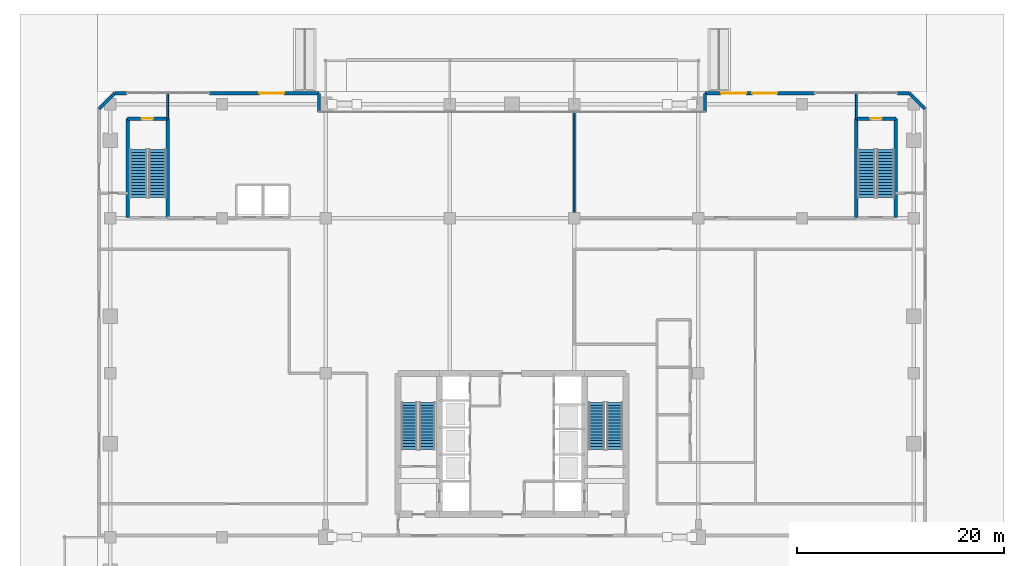
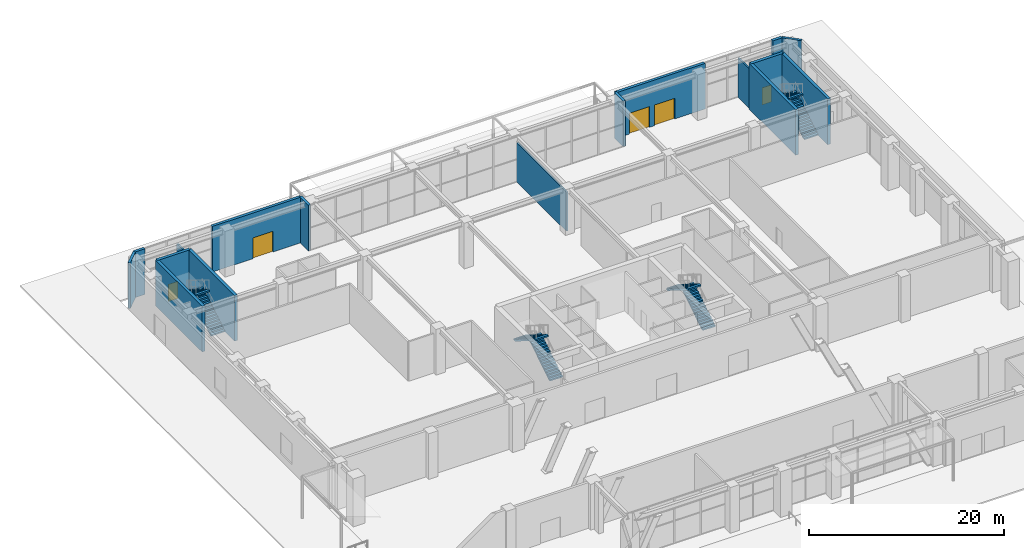
# One storey, part 40 of 49: 17 walls, 8 stair flights, 5 doors, 5 openings, 4 elements without a shape of their own.
"""IFC4 building model written with IfcOpenShell, lengths in metres."""

import ifcopenshell
import ifcopenshell.guid

model = None  # the IFC model being written
_history = None  # IfcOwnerHistory: only IFC2X3 demands one
_inside = {}  # id of a spatial element -> (the spatial element, [elements in it])
_under = {}  # id of a project, library or spatial element -> (it, [spatial elements below it])
_declared = {}  # id of a project -> (the project, [libraries it declares])
_typed = {}  # id of a type object -> (the type object, [elements of that type])
_made_of = {}  # id of a material, layer set ... -> (it, [elements and type objects made of it])


def new_model(schema):
    """Start an empty IFC model of exactly this schema.

    Asked for "IFC4X3", IfcOpenShell would pick the latest addendum, in which some entities
    have other attributes; the version numbers below select the first issue.
    IFC2X3 requires an IfcOwnerHistory on every rooted entity: one is made here for all.
    """
    global model, _history
    if schema == "IFC4X3":
        model = ifcopenshell.file(schema_version=(4, 3, 0, 0))
    else:
        model = ifcopenshell.file(schema=schema)
    _inside.clear()
    _under.clear()
    _declared.clear()
    _typed.clear()
    _made_of.clear()
    _history = None
    if model.schema == "IFC2X3":
        org = make("IfcOrganization", Name="unknown")
        user = make(
            "IfcPersonAndOrganization",
            ThePerson=make("IfcPerson", FamilyName="unknown"),
            TheOrganization=org,
        )
        app = make(
            "IfcApplication",
            ApplicationDeveloper=org,
            Version="unknown",
            ApplicationFullName="unknown",
            ApplicationIdentifier="unknown",
        )
        _history = make(
            "IfcOwnerHistory",
            OwningUser=user,
            OwningApplication=app,
            ChangeAction="ADDED",
            CreationDate=0,
        )
    return model


def make(cls, **values):
    """One entity of the class cls with the attributes given. An attribute that is None is left unset."""
    return model.create_entity(
        cls, **{name: value for name, value in values.items() if value is not None}
    )


def rooted(cls, **values):
    """An entity with a GlobalId (a new one), such as an element, a storey or a relation."""
    return make(cls, GlobalId=ifcopenshell.guid.new(), OwnerHistory=_history, **values)


def si_unit(unit_type, name, prefix=None):
    """IfcSIUnit, for example si_unit("LENGTHUNIT", "METRE", prefix="MILLI")."""
    return make("IfcSIUnit", UnitType=unit_type, Prefix=prefix, Name=name)


def assignment(units):
    """IfcUnitAssignment: the units of a project."""
    return None if units is None else make("IfcUnitAssignment", Units=units)


def point(xyz):
    """IfcCartesianPoint."""
    return None if xyz is None else make("IfcCartesianPoint", Coordinates=xyz)


def direction(xyz):
    """IfcDirection."""
    return None if xyz is None else make("IfcDirection", DirectionRatios=xyz)


def frame(location, z_axis=None, x_axis=None):
    """IfcAxis2Placement3D, a coordinate frame: its origin and axes. An axis left out is left unset."""
    return make(
        "IfcAxis2Placement3D",
        Location=point(location),
        Axis=direction(z_axis),
        RefDirection=direction(x_axis),
    )


def frame_2d(location, x_axis=None):
    """IfcAxis2Placement2D, a coordinate frame in the plane: its origin and x axis."""
    return make(
        "IfcAxis2Placement2D", Location=point(location), RefDirection=direction(x_axis)
    )


def origin():
    """The frame at (0, 0, 0) with its axes left unset."""
    return frame((0.0, 0.0, 0.0))


def place(relative_to, where):
    """IfcLocalPlacement: puts the frame where relative to a parent placement (None: the world)."""
    return make(
        "IfcLocalPlacement", PlacementRelTo=relative_to, RelativePlacement=where
    )


def context(
    kind, dimensions, precision=None, world=None, true_north=None, identifier=None
):
    """IfcGeometricRepresentationContext, for example the 3D "Model" context."""
    return make(
        "IfcGeometricRepresentationContext",
        ContextIdentifier=identifier,
        ContextType=kind,
        CoordinateSpaceDimension=dimensions,
        Precision=precision,
        WorldCoordinateSystem=world,
        TrueNorth=true_north,
    )


def subcontext(parent, identifier, kind, view, scale=None):
    """IfcGeometricRepresentationSubContext, for example "Body" below "Model"."""
    return make(
        "IfcGeometricRepresentationSubContext",
        ContextIdentifier=identifier,
        ContextType=kind,
        ParentContext=parent,
        TargetScale=scale,
        TargetView=view,
    )


def project(units=None, contexts=None):
    """IfcProject with its units and contexts."""
    return rooted(
        "IfcProject",
        Name="project",
        RepresentationContexts=contexts,
        UnitsInContext=assignment(units),
    )


def spatial(cls, under=None, at=None, **own):
    """A site, building, storey or space (cls), placed at a placement, below another one or the project."""
    s = rooted(cls, ObjectPlacement=at, **own)
    if under is not None:
        _under.setdefault(under.id(), (under, []))[1].append(s)
    return s


def polyline(points):
    """IfcPolyline through the points."""
    return make("IfcPolyline", Points=[point(p) for p in points])


def profile(cls, at=None, kind="AREA", **sizes):
    """A parametric profile (cls). Its sizes go by their IFC names, for example OverallWidth=200.0."""
    return make(cls, ProfileType=kind, Position=at, **sizes)


def rectangle(**sizes):
    """IfcRectangleProfileDef."""
    return profile("IfcRectangleProfileDef", **sizes)


def outline(outer, holes=None, kind="AREA"):
    """IfcArbitraryClosedProfileDef: a profile drawn as a closed curve; with holes, ...WithVoids."""
    if holes is None:
        return make("IfcArbitraryClosedProfileDef", ProfileType=kind, OuterCurve=outer)
    return make(
        "IfcArbitraryProfileDefWithVoids",
        ProfileType=kind,
        OuterCurve=outer,
        InnerCurves=holes,
    )


def extrude(swept, where, along, depth):
    """IfcExtrudedAreaSolid: the profile swept, set in the frame where, extruded along a direction by depth."""
    return make(
        "IfcExtrudedAreaSolid",
        SweptArea=swept,
        Position=where,
        ExtrudedDirection=direction(along),
        Depth=depth,
    )


def shape(context_of_items, identifier, shape_type, items):
    """IfcShapeRepresentation: the items that make up one representation, for example the "Body"."""
    return make(
        "IfcShapeRepresentation",
        ContextOfItems=context_of_items,
        RepresentationIdentifier=identifier,
        RepresentationType=shape_type,
        Items=items,
    )


def material(Name=None, Category=None):
    """IfcMaterial."""
    return make("IfcMaterial", Name=Name, Category=Category)


def layer(
    of_material, thickness, ventilated=None, Name=None, Category=None, Priority=None
):
    """IfcMaterialLayer: one layer of a wall or slab, of a material (None: an air gap)."""
    return make(
        "IfcMaterialLayer",
        Material=of_material,
        LayerThickness=thickness,
        IsVentilated=ventilated,
        Name=Name,
        Category=Category,
        Priority=Priority,
    )


def layer_set(layers, Name=None):
    """IfcMaterialLayerSet."""
    return make("IfcMaterialLayerSet", MaterialLayers=layers, LayerSetName=Name)


def made_of(thing, what):
    """Note that an element or type object is made of a material, layer set ...; save() writes the relation."""
    if what is not None:
        _made_of.setdefault(what.id(), (what, []))[1].append(thing)
    return thing


def type_object(cls, material=None, **own):
    """A type object (cls), such as IfcWallType, which elements share."""
    return made_of(rooted(cls, **own), material)


def element(
    cls,
    number,
    at=None,
    inside=None,
    cuts=None,
    type_object=None,
    material=None,
    context=None,
    identifier="Body",
    shape_type=None,
    held_by="IfcProductDefinitionShape",
    body=None,
    shapes=None,
    **own,
):
    """One element of the class cls, such as IfcWall. Its Tag is "e" and its number.

    at: its placement. inside: the storey or other place that contains it. cuts: it is an
    opening in that element (IfcRelVoidsElement). A single representation is given by context,
    identifier, shape_type and body (its items); several are given by shapes. held_by: the class
    of the entity that holds the representations. save() writes the other relations.
    """
    e = rooted(cls, Tag="e%d" % number, ObjectPlacement=at, **own)
    if body is not None:
        shapes = [shape(context, identifier, shape_type, body)]
    if shapes is not None:
        e.Representation = make(held_by, Representations=shapes)
    if inside is not None:
        _inside.setdefault(inside.id(), (inside, []))[1].append(e)
    if cuts is not None:
        rooted(
            "IfcRelVoidsElement", RelatingBuildingElement=cuts, RelatedOpeningElement=e
        )
    if type_object is not None:
        _typed.setdefault(type_object.id(), (type_object, []))[1].append(e)
    return made_of(e, material)


def fill(opening, filler):
    """IfcRelFillsElement: the door or window that sits in an opening."""
    return rooted(
        "IfcRelFillsElement",
        RelatingOpeningElement=opening,
        RelatedBuildingElement=filler,
    )


def aggregate(whole, parts):
    """IfcRelAggregates: a whole, such as a stair, and the parts it consists of."""
    return rooted("IfcRelAggregates", RelatingObject=whole, RelatedObjects=parts)


def save(model, path):
    """Write the relations noted so far, then the file.

    IfcRelAggregates (storeys below a building ...), IfcRelContainedInSpatialStructure (elements
    in a storey), IfcRelDefinesByType, IfcRelAssociatesMaterial and IfcRelDeclares: one each for
    every whole, place, type object, material and project.
    """
    for whole, parts in _under.values():
        aggregate(whole, parts)
    for where, things in _inside.values():
        rooted(
            "IfcRelContainedInSpatialStructure",
            RelatedElements=things,
            RelatingStructure=where,
        )
    for kind, things in _typed.values():
        rooted("IfcRelDefinesByType", RelatedObjects=things, RelatingType=kind)
    for what, things in _made_of.values():
        rooted("IfcRelAssociatesMaterial", RelatedObjects=things, RelatingMaterial=what)
    for by, libraries in _declared.values():
        rooted("IfcRelDeclares", RelatingContext=by, RelatedDefinitions=libraries)
    model.write(path)


model = new_model("IFC4")

# Units and contexts
model_context = context("Model", 3, precision=1e-05, world=origin(), true_north=direction((0.0, 1.0)))
body_context = subcontext(model_context, "Body", "Model", "MODEL_VIEW")
ifc_project = project(units=[si_unit("LENGTHUNIT", "METRE"), si_unit("AREAUNIT", "SQUARE_METRE"), si_unit("VOLUMEUNIT", "CUBIC_METRE"), si_unit("PLANEANGLEUNIT", "RADIAN"), si_unit("MASSUNIT", "GRAM", prefix="KILO")], contexts=[model_context])

# Site, building, storey
site_placement = place(None, origin())
site = spatial("IfcSite", under=ifc_project, at=site_placement, CompositionType="ELEMENT")
building_placement = place(site_placement, origin())
building = spatial("IfcBuilding", under=site, at=building_placement, Name="Sarneth Arch Tower", CompositionType="ELEMENT")
storey_placement = place(building_placement, origin())
storey = spatial("IfcBuildingStorey", under=building, at=storey_placement, Name="L00", CompositionType="ELEMENT", Elevation=0.0)

# Walls
ifc_material_1 = material(Name="Concrete C50/60", Category="concrete")
ifc_layer_1 = layer(ifc_material_1, 0.35009765625)
ifc_layer_set_1 = layer_set([ifc_layer_1], Name="Concrete C50/60")
wall_type_1 = type_object("IfcWallType", Name="WALL-CORE-350", PredefinedType="SHEAR", material=ifc_layer_set_1)
for number, where, z_axis, x_axis, name in (
    (1, (10.89990234375, 63.85009765625, 0.0), (0.0, 0.0, 1.0), (0.0, 1.0, 0.0), "L00 Podium stair core wall STP1-W"),
    (2, (14.75, 63.85009765625, 0.0), (0.0, 0.0, 1.0), (0.0, 1.0, 0.0), "L00 Podium stair core wall STP1-E"),
):
    element("IfcWall", number, at=place(storey_placement, frame(where, z_axis=z_axis, x_axis=x_axis)), inside=storey, type_object=wall_type_1, Name=name, PredefinedType="SHEAR", context=body_context, shape_type="SweptSolid", body=[
        extrude(rectangle(XDim=9.5498046875, YDim=0.35009765625, at=frame_2d((4.77490234375, 0.0))), origin(), (0.0, 0.0, 1.0), 5.719970703125),
    ])

# Wall, opening, door
wall_1_placement = place(storey_placement, frame((10.89990234375, 73.39990234375, 0.0), z_axis=(0.0, 0.0, 1.0), x_axis=(1.0, 0.0, 0.0)))
wall_1 = element("IfcWall", 3, at=wall_1_placement, inside=storey, type_object=wall_type_1, Name="L00 Podium stair core wall STP1-N", PredefinedType="SHEAR", context=body_context, shape_type="SweptSolid", body=[
    extrude(rectangle(XDim=3.85009765625, YDim=0.35009765625, at=frame_2d((1.925048828125, 0.0))), origin(), (0.0, 0.0, 1.0), 5.719970703125),
])
opening_1_placement = place(wall_1_placement, frame((1.35009765625, 0.0, 0.0)))
opening_1 = element("IfcOpeningElement", 4, at=opening_1_placement, cuts=wall_1, Name="Opening FD-03", PredefinedType="OPENING", context=body_context, shape_type="SweptSolid", body=[
    extrude(rectangle(XDim=1.10009765625, YDim=2.14990234375, at=frame_2d((0.550048828125, 1.074951171875))), frame((0.0, 0.18505859375, 0.0), z_axis=(0.0, -1.0, 0.0), x_axis=(1.0, 0.0, 0.0)), (0.0, 0.0, 1.0), 0.3701171875),
])
ifc_material_2 = material(Name="Galvanised Steel S275 fire door set", Category="steel")
door_type_1 = type_object("IfcDoorType", Name="DR-FD90-1100", OperationType="SINGLE_SWING_LEFT", PredefinedType="DOOR", material=ifc_material_2)
door_1_placement = place(opening_1_placement, origin())
door_1 = element("IfcDoor", 5, at=door_1_placement, inside=storey, type_object=door_type_1, Name="L00 Podium stair ST-P1 protected exit door", OperationType="SINGLE_SWING_LEFT", OverallHeight=2.14990234375, OverallWidth=1.10009765625, PredefinedType="DOOR", context=body_context, shape_type="SweptSolid", body=[
    extrude(rectangle(XDim=1.10009765625, YDim=2.14990234375, at=frame_2d((0.550048828125, 1.074951171875))), frame((0.0, 0.02490234375, 0.0), z_axis=(0.0, -1.0, 0.0), x_axis=(1.0, 0.0, 0.0)), (0.0, 0.0, 1.0), 0.050048828125),
])
fill(opening_1, door_1)

# Walls
for number, where, z_axis, x_axis, name in (
    (6, (81.25, 63.85009765625, 0.0), (0.0, 0.0, 1.0), (0.0, 1.0, 0.0), "L00 Podium stair core wall STP2-W"),
    (7, (85.050048828125, 63.85009765625, 0.0), (0.0, 0.0, 1.0), (0.0, 1.0, 0.0), "L00 Podium stair core wall STP2-E"),
):
    element("IfcWall", number, at=place(storey_placement, frame(where, z_axis=z_axis, x_axis=x_axis)), inside=storey, type_object=wall_type_1, Name=name, PredefinedType="SHEAR", context=body_context, shape_type="SweptSolid", body=[
        extrude(rectangle(XDim=9.5498046875, YDim=0.35009765625, at=frame_2d((4.77490234375, 0.0))), origin(), (0.0, 0.0, 1.0), 5.719970703125),
    ])

# Wall, opening, door
wall_2_placement = place(storey_placement, frame((81.25, 73.39990234375, 0.0), z_axis=(0.0, 0.0, 1.0), x_axis=(1.0, 0.0, 0.0)))
wall_2 = element("IfcWall", 8, at=wall_2_placement, inside=storey, type_object=wall_type_1, Name="L00 Podium stair core wall STP2-N", PredefinedType="SHEAR", context=body_context, shape_type="SweptSolid", body=[
    extrude(rectangle(XDim=3.800048828125, YDim=0.35009765625, at=frame_2d((1.89990234375, 0.0))), origin(), (0.0, 0.0, 1.0), 5.719970703125),
])
opening_2_placement = place(wall_2_placement, frame((1.35009765625, 0.0, 0.0)))
opening_2 = element("IfcOpeningElement", 9, at=opening_2_placement, cuts=wall_2, Name="Opening FD-03", PredefinedType="OPENING", context=body_context, shape_type="SweptSolid", body=[
    extrude(rectangle(XDim=1.10009765625, YDim=2.14990234375, at=frame_2d((0.550048828125, 1.074951171875))), frame((0.0, 0.18505859375, 0.0), z_axis=(0.0, -1.0, 0.0), x_axis=(1.0, 0.0, 0.0)), (0.0, 0.0, 1.0), 0.3701171875),
])
door_2_placement = place(opening_2_placement, origin())
door_2 = element("IfcDoor", 10, at=door_2_placement, inside=storey, type_object=door_type_1, Name="L00 Podium stair ST-P2 protected exit door", OperationType="SINGLE_SWING_RIGHT", OverallHeight=2.14990234375, OverallWidth=1.10009765625, PredefinedType="DOOR", context=body_context, shape_type="SweptSolid", body=[
    extrude(rectangle(XDim=1.10009765625, YDim=2.14990234375, at=frame_2d((0.550048828125, 1.074951171875))), frame((0.0, 0.02490234375, 0.0), z_axis=(0.0, -1.0, 0.0), x_axis=(1.0, 0.0, 0.0)), (0.0, 0.0, 1.0), 0.050048828125),
])
fill(opening_2, door_2)

# Walls
ifc_material_3 = material(Name="Double steel-stud corridor fire wall", Category="steel")
ifc_layer_2 = layer(ifc_material_3, 0.18994140625)
ifc_layer_set_2 = layer_set([ifc_layer_2], Name="Double steel-stud corridor fire wall")
wall_type_2 = type_object("IfcWallType", Name="WALL-CORR-190", PredefinedType="PARTITIONING", material=ifc_layer_set_2)
wall_3_placement = place(storey_placement, frame((54.0, 74.050048828125, 0.0), z_axis=(0.0, 0.0, 1.0), x_axis=(0.0, -1.0, 0.0)))
element("IfcWall", 11, at=wall_3_placement, inside=storey, type_object=wall_type_2, Name="L00 Interior partition W-L00N-TP-003", PredefinedType="PARTITIONING", context=body_context, shape_type="SweptSolid", body=[
    extrude(rectangle(XDim=10.199951171875, YDim=0.18994140625, at=frame_2d((5.10009765625, 0.0))), origin(), (0.0, 0.0, 1.0), 4.919921875),
])
wall_4_placement = place(storey_placement, frame((81.25, 75.85009765625, 0.0), z_axis=(0.0, 0.0, 1.0), x_axis=(0.0, -1.0, 0.0)))
element("IfcWall", 12, at=wall_4_placement, inside=storey, type_object=wall_type_2, Name="L00 Interior partition W-L00N-TP-023", PredefinedType="PARTITIONING", context=body_context, shape_type="SweptSolid", body=[
    extrude(rectangle(XDim=2.482177734375, YDim=0.18994140625, at=frame_2d((1.2412109375, 0.0))), origin(), (0.0, 0.0, 1.0), 4.919921875),
])
wall_5_placement = place(storey_placement, frame((14.75, 75.85009765625, 0.0), z_axis=(0.0, 0.0, 1.0), x_axis=(0.0, -1.0, 0.0)))
element("IfcWall", 13, at=wall_5_placement, inside=storey, type_object=wall_type_2, Name="L00 Interior partition W-L00N-TP-024", PredefinedType="PARTITIONING", context=body_context, shape_type="SweptSolid", body=[
    extrude(rectangle(XDim=2.4501953125, YDim=0.18994140625, at=frame_2d((1.22509765625, 0.0))), origin(), (0.0, 0.0, 1.0), 4.919921875),
])
ifc_material_4 = material(Name="Extruded terracotta rainscreen on Concrete C40/50 backing", Category="masonry")
ifc_layer_3 = layer(ifc_material_4, 0.280029296875)
ifc_layer_set_3 = layer_set([ifc_layer_3], Name="Extruded terracotta rainscreen on Concrete C40/50 backing")
wall_type_3 = type_object("IfcWallType", Name="WALL-EXT-TERRA-280", PredefinedType="SOLIDWALL", material=ifc_layer_set_3)
for number, where, z_axis, x_axis, name in (
    (14, (66.64990234375, 75.85009765625, 0.0), (0.0, 0.0, 1.0), (0.0, -1.0, 0.0), "L00 North-east arch portal return"),
    (15, (29.35009765625, 74.050048828125, 0.0), (0.0, 0.0, 1.0), (0.0, 1.0, 0.0), "L00 North-west arch portal return"),
):
    element("IfcWall", number, at=place(storey_placement, frame(where, z_axis=z_axis, x_axis=x_axis)), inside=storey, type_object=wall_type_3, Name=name, PredefinedType="SOLIDWALL", context=body_context, shape_type="SweptSolid", body=[
        extrude(rectangle(XDim=1.800048828125, YDim=0.280029296875, at=frame_2d((0.89990234375, 0.0))), origin(), (0.0, 0.0, 1.0), 5.719970703125),
    ])
for number, where, z_axis, x_axis, name in (
    (16, (87.85009765625, 74.35009765625, 0.0), (0.0, 0.0, 1.0), (-0.707106781187, 0.707106781187, 0.0), "L00 Podium chamfer terracotta wall NE"),
    (17, (9.64990234375, 75.85009765625, 0.0), (0.0, 0.0, 1.0), (-0.707106781187, -0.707106781187, 0.0), "L00 Podium chamfer terracotta wall NW"),
):
    element("IfcWall", number, at=place(storey_placement, frame(where, z_axis=z_axis, x_axis=x_axis)), inside=storey, type_object=wall_type_3, Name=name, PredefinedType="SOLIDWALL", context=body_context, shape_type="SweptSolid", body=[
        extrude(rectangle(XDim=2.121337890625, YDim=0.280029296875, at=frame_2d((1.060546875, 0.0))), origin(), (0.0, 0.0, 1.0), 5.719970703125),
    ])
ifc_material_5 = material(Name="Extruded terracotta rainscreen on Concrete C40/50 backing", Category="masonry")
ifc_layer_4 = layer(ifc_material_5, 0.320068359375)
ifc_layer_set_4 = layer_set([ifc_layer_4], Name="Extruded terracotta rainscreen on Concrete C40/50 backing")
wall_type_4 = type_object("IfcWallType", Name="WALL-EXT-TERRA-320", PredefinedType="SOLIDWALL", material=ifc_layer_set_4)
for number, where, z_axis, x_axis, name in (
    (18, (86.35009765625, 75.85009765625, 0.0), (0.0, 0.0, 1.0), (-1.0, 0.0, 0.0), "L00 North-east pier"),
    (19, (10.800048828125, 75.85009765625, 0.0), (0.0, 0.0, 1.0), (-1.0, 0.0, 0.0), "L00 North-west pier"),
):
    element("IfcWall", number, at=place(storey_placement, frame(where, z_axis=z_axis, x_axis=x_axis)), inside=storey, type_object=wall_type_4, Name=name, PredefinedType="SOLIDWALL", context=body_context, shape_type="SweptSolid", body=[
        extrude(rectangle(XDim=1.150146484375, YDim=0.320068359375, at=frame_2d((0.5751953125, 0.0))), origin(), (0.0, 0.0, 1.0), 5.719970703125),
    ])

# Wall, openings, doors
wall_6_placement = place(storey_placement, frame((66.64990234375, 75.85009765625, 0.0), z_axis=(0.0, 0.0, 1.0), x_axis=(1.0, 0.0, 0.0)))
wall_6 = element("IfcWall", 20, at=wall_6_placement, inside=storey, type_object=wall_type_4, Name="L00 North-east podium wing wall", PredefinedType="SOLIDWALL", context=body_context, shape_type="SweptSolid", body=[
    extrude(rectangle(XDim=10.550048828125, YDim=0.320068359375, at=frame_2d((5.27490234375, 0.0))), origin(), (0.0, 0.0, 1.0), 5.719970703125),
])
opening_3_placement = place(wall_6_placement, frame((4.550048828125, 0.0, 0.0)))
opening_3 = element("IfcOpeningElement", 21, at=opening_3_placement, cuts=wall_6, Name="Opening ED-1", PredefinedType="OPENING", context=body_context, shape_type="SweptSolid", body=[
    extrude(rectangle(XDim=2.39990234375, YDim=2.60009765625, at=frame_2d((1.199951171875, 1.300048828125))), frame((0.0, 0.169921875, 0.0), z_axis=(0.0, -1.0, 0.0), x_axis=(1.0, 0.0, 0.0)), (0.0, 0.0, 1.0), 0.340087890625),
])
opening_4_placement = place(wall_6_placement, frame((1.550048828125, 0.0, 0.0)))
opening_4 = element("IfcOpeningElement", 22, at=opening_4_placement, cuts=wall_6, Name="Opening ED-1", PredefinedType="OPENING", context=body_context, shape_type="SweptSolid", body=[
    extrude(rectangle(XDim=2.39990234375, YDim=2.60009765625, at=frame_2d((1.199951171875, 1.300048828125))), frame((0.0, 0.169921875, 0.0), z_axis=(0.0, -1.0, 0.0), x_axis=(1.0, 0.0, 0.0)), (0.0, 0.0, 1.0), 0.340087890625),
])
ifc_material_6 = material(Name="Thermally broken Aluminium 6063-T6 and laminated safety glass", Category="aluminium")
door_type_2 = type_object("IfcDoorType", Name="DR-EXT-DBL-2400", OperationType="DOUBLE_DOOR_SINGLE_SWING", PredefinedType="DOOR", material=ifc_material_6)
door_3_placement = place(opening_3_placement, origin())
door_3 = element("IfcDoor", 23, at=door_3_placement, inside=storey, type_object=door_type_2, Name="North Street Entrance Door 1", OperationType="DOUBLE_DOOR_SINGLE_SWING", OverallHeight=2.60009765625, OverallWidth=2.39990234375, PredefinedType="DOOR", context=body_context, shape_type="SweptSolid", body=[
    extrude(rectangle(XDim=2.39990234375, YDim=2.60009765625, at=frame_2d((1.199951171875, 1.300048828125))), frame((0.0, 0.02490234375, 0.0), z_axis=(0.0, -1.0, 0.0), x_axis=(1.0, 0.0, 0.0)), (0.0, 0.0, 1.0), 0.050048828125),
])
fill(opening_3, door_3)
door_4_placement = place(opening_4_placement, origin())
door_4 = element("IfcDoor", 24, at=door_4_placement, inside=storey, type_object=door_type_2, Name="North Street Entrance Door 2", OperationType="DOUBLE_DOOR_SINGLE_SWING", OverallHeight=2.60009765625, OverallWidth=2.39990234375, PredefinedType="DOOR", context=body_context, shape_type="SweptSolid", body=[
    extrude(rectangle(XDim=2.39990234375, YDim=2.60009765625, at=frame_2d((1.199951171875, 1.300048828125))), frame((0.0, 0.02490234375, 0.0), z_axis=(0.0, -1.0, 0.0), x_axis=(1.0, 0.0, 0.0)), (0.0, 0.0, 1.0), 0.050048828125),
])
fill(opening_4, door_4)

# Wall, opening, door
wall_7_placement = place(storey_placement, frame((18.800048828125, 75.85009765625, 0.0), z_axis=(0.0, 0.0, 1.0), x_axis=(1.0, 0.0, 0.0)))
wall_7 = element("IfcWall", 25, at=wall_7_placement, inside=storey, type_object=wall_type_4, Name="L00 North-west podium wing wall", PredefinedType="SOLIDWALL", context=body_context, shape_type="SweptSolid", body=[
    extrude(rectangle(XDim=10.550048828125, YDim=0.320068359375, at=frame_2d((5.27490234375, 0.0))), origin(), (0.0, 0.0, 1.0), 5.719970703125),
])
opening_5_placement = place(wall_7_placement, frame((4.800048828125, 0.0, 0.0)))
opening_5 = element("IfcOpeningElement", 26, at=opening_5_placement, cuts=wall_7, Name="Opening ED-1", PredefinedType="OPENING", context=body_context, shape_type="SweptSolid", body=[
    extrude(rectangle(XDim=2.39990234375, YDim=2.60009765625, at=frame_2d((1.199951171875, 1.300048828125))), frame((0.0, 0.169921875, 0.0), z_axis=(0.0, -1.0, 0.0), x_axis=(1.0, 0.0, 0.0)), (0.0, 0.0, 1.0), 0.340087890625),
])
door_5_placement = place(opening_5_placement, origin())
door_5 = element("IfcDoor", 27, at=door_5_placement, inside=storey, type_object=door_type_2, Name="North Street Entrance Door 3", OperationType="DOUBLE_DOOR_SINGLE_SWING", OverallHeight=2.60009765625, OverallWidth=2.39990234375, PredefinedType="DOOR", context=body_context, shape_type="SweptSolid", body=[
    extrude(rectangle(XDim=2.39990234375, YDim=2.60009765625, at=frame_2d((1.199951171875, 1.300048828125))), frame((0.0, 0.02490234375, 0.0), z_axis=(0.0, -1.0, 0.0), x_axis=(1.0, 0.0, 0.0)), (0.0, 0.0, 1.0), 0.050048828125),
])
fill(opening_5, door_5)

# Stair, stair flights
ifc_material_7 = material(Name="Concrete C50/60", Category="concrete")
stair_type_1 = type_object("IfcStairType", Name="STAIR-CORE-RC", PredefinedType="HALF_TURN_STAIR", material=ifc_material_7)
stair_1_placement = place(storey_placement, origin())
stair_1 = element("IfcStair", 28, at=stair_1_placement, inside=storey, type_object=stair_type_1, Name="L00 Core Exit Stair 1", PredefinedType="HALF_TURN_STAIR")
ifc_material_8 = material(Name="Concrete C50/60", Category="concrete")
stair_flight_type_1 = type_object("IfcStairFlightType", Name="FLIGHT-RC-1500", PredefinedType="STRAIGHT", material=ifc_material_8)
stair_flight_1_placement = place(storey_placement, frame((39.800048828125, 41.449951171875, 0.0), z_axis=(0.0, 0.0, 1.0), x_axis=(0.0, 1.0, 0.0)))
stair_flight_1 = element("IfcStairFlight", 29, at=stair_flight_1_placement, type_object=stair_flight_type_1, Name="ST-1 flight 1", NumberOfRisers=17, NumberOfTreads=16, PredefinedType="STRAIGHT", RiserHeight=0.176470588, TreadLength=0.285, context=body_context, shape_type="SweptSolid", body=[
    extrude(outline(polyline([(0.0, 0.0), (0.0, 0.176513671875), (0.284912109375, 0.176513671875), (0.284912109375, 0.35302734375), (0.570068359375, 0.35302734375), (0.570068359375, 0.529296875), (0.85498046875, 0.529296875), (0.85498046875, 0.705810546875), (1.139892578125, 0.705810546875), (1.139892578125, 0.88232421875), (1.425048828125, 0.88232421875), (1.425048828125, 1.058837890625), (1.7099609375, 1.058837890625), (1.7099609375, 1.2353515625), (1.9951171875, 1.2353515625), (1.9951171875, 1.411865234375), (2.280029296875, 1.411865234375), (2.280029296875, 1.588134765625), (2.56494140625, 1.588134765625), (2.56494140625, 1.7646484375), (2.85009765625, 1.7646484375), (2.85009765625, 1.941162109375), (3.135009765625, 1.941162109375), (3.135009765625, 2.11767578125), (3.419921875, 2.11767578125), (3.419921875, 2.294189453125), (3.705078125, 2.294189453125), (3.705078125, 2.470703125), (3.989990234375, 2.470703125), (3.989990234375, 2.64697265625), (4.27490234375, 2.64697265625), (4.27490234375, 2.823486328125), (4.56005859375, 2.823486328125), (4.56005859375, 3.0), (4.56005859375, 2.647216796875), (0.28466796875, 0.0), (0.0, 0.0)])), frame((0.0, 0.75, 0.0), z_axis=(0.0, -1.0, 0.0), x_axis=(1.0, 0.0, 0.0)), (0.0, 0.0, 1.0), 1.5),
])
stair_flight_2_placement = place(storey_placement, frame((38.10009765625, 46.010009765625, 3.0), z_axis=(0.0, 0.0, 1.0), x_axis=(0.0, -1.0, 0.0)))
stair_flight_2 = element("IfcStairFlight", 30, at=stair_flight_2_placement, type_object=stair_flight_type_1, Name="ST-1 flight 2", NumberOfRisers=17, NumberOfTreads=16, PredefinedType="STRAIGHT", RiserHeight=0.176470588, TreadLength=0.285, context=body_context, shape_type="SweptSolid", body=[
    extrude(outline(polyline([(0.0, 0.0), (0.0, 0.176513671875), (0.284912109375, 0.176513671875), (0.284912109375, 0.35302734375), (0.570068359375, 0.35302734375), (0.570068359375, 0.529296875), (0.85498046875, 0.529296875), (0.85498046875, 0.705810546875), (1.139892578125, 0.705810546875), (1.139892578125, 0.88232421875), (1.425048828125, 0.88232421875), (1.425048828125, 1.058837890625), (1.7099609375, 1.058837890625), (1.7099609375, 1.2353515625), (1.9951171875, 1.2353515625), (1.9951171875, 1.411865234375), (2.280029296875, 1.411865234375), (2.280029296875, 1.588134765625), (2.56494140625, 1.588134765625), (2.56494140625, 1.7646484375), (2.85009765625, 1.7646484375), (2.85009765625, 1.941162109375), (3.135009765625, 1.941162109375), (3.135009765625, 2.11767578125), (3.419921875, 2.11767578125), (3.419921875, 2.294189453125), (3.705078125, 2.294189453125), (3.705078125, 2.470703125), (3.989990234375, 2.470703125), (3.989990234375, 2.64697265625), (4.27490234375, 2.64697265625), (4.27490234375, 2.823486328125), (4.56005859375, 2.823486328125), (4.56005859375, 3.0), (4.56005859375, 2.647216796875), (0.28466796875, 0.0), (0.0, 0.0)])), frame((0.0, 0.75, 0.0), z_axis=(0.0, -1.0, 0.0), x_axis=(1.0, 0.0, 0.0)), (0.0, 0.0, 1.0), 1.5),
])
aggregate(stair_1, [stair_flight_1, stair_flight_2])

stair_2_placement = place(storey_placement, origin())
stair_2 = element("IfcStair", 31, at=stair_2_placement, inside=storey, type_object=stair_type_1, Name="L00 Core Exit Stair 2", PredefinedType="HALF_TURN_STAIR")
stair_flight_3_placement = place(storey_placement, frame((57.89990234375, 41.449951171875, 0.0), z_axis=(0.0, 0.0, 1.0), x_axis=(0.0, 1.0, 0.0)))
stair_flight_3 = element("IfcStairFlight", 32, at=stair_flight_3_placement, type_object=stair_flight_type_1, Name="ST-2 flight 1", NumberOfRisers=17, NumberOfTreads=16, PredefinedType="STRAIGHT", RiserHeight=0.176470588, TreadLength=0.285, context=body_context, shape_type="SweptSolid", body=[
    extrude(outline(polyline([(0.0, 0.0), (0.0, 0.176513671875), (0.284912109375, 0.176513671875), (0.284912109375, 0.35302734375), (0.570068359375, 0.35302734375), (0.570068359375, 0.529296875), (0.85498046875, 0.529296875), (0.85498046875, 0.705810546875), (1.139892578125, 0.705810546875), (1.139892578125, 0.88232421875), (1.425048828125, 0.88232421875), (1.425048828125, 1.058837890625), (1.7099609375, 1.058837890625), (1.7099609375, 1.2353515625), (1.9951171875, 1.2353515625), (1.9951171875, 1.411865234375), (2.280029296875, 1.411865234375), (2.280029296875, 1.588134765625), (2.56494140625, 1.588134765625), (2.56494140625, 1.7646484375), (2.85009765625, 1.7646484375), (2.85009765625, 1.941162109375), (3.135009765625, 1.941162109375), (3.135009765625, 2.11767578125), (3.419921875, 2.11767578125), (3.419921875, 2.294189453125), (3.705078125, 2.294189453125), (3.705078125, 2.470703125), (3.989990234375, 2.470703125), (3.989990234375, 2.64697265625), (4.27490234375, 2.64697265625), (4.27490234375, 2.823486328125), (4.56005859375, 2.823486328125), (4.56005859375, 3.0), (4.56005859375, 2.647216796875), (0.28466796875, 0.0), (0.0, 0.0)])), frame((0.0, 0.75, 0.0), z_axis=(0.0, -1.0, 0.0), x_axis=(1.0, 0.0, 0.0)), (0.0, 0.0, 1.0), 1.5),
])
stair_flight_4_placement = place(storey_placement, frame((56.199951171875, 46.010009765625, 3.0), z_axis=(0.0, 0.0, 1.0), x_axis=(0.0, -1.0, 0.0)))
stair_flight_4 = element("IfcStairFlight", 33, at=stair_flight_4_placement, type_object=stair_flight_type_1, Name="ST-2 flight 2", NumberOfRisers=17, NumberOfTreads=16, PredefinedType="STRAIGHT", RiserHeight=0.176470588, TreadLength=0.285, context=body_context, shape_type="SweptSolid", body=[
    extrude(outline(polyline([(0.0, 0.0), (0.0, 0.176513671875), (0.284912109375, 0.176513671875), (0.284912109375, 0.35302734375), (0.570068359375, 0.35302734375), (0.570068359375, 0.529296875), (0.85498046875, 0.529296875), (0.85498046875, 0.705810546875), (1.139892578125, 0.705810546875), (1.139892578125, 0.88232421875), (1.425048828125, 0.88232421875), (1.425048828125, 1.058837890625), (1.7099609375, 1.058837890625), (1.7099609375, 1.2353515625), (1.9951171875, 1.2353515625), (1.9951171875, 1.411865234375), (2.280029296875, 1.411865234375), (2.280029296875, 1.588134765625), (2.56494140625, 1.588134765625), (2.56494140625, 1.7646484375), (2.85009765625, 1.7646484375), (2.85009765625, 1.941162109375), (3.135009765625, 1.941162109375), (3.135009765625, 2.11767578125), (3.419921875, 2.11767578125), (3.419921875, 2.294189453125), (3.705078125, 2.294189453125), (3.705078125, 2.470703125), (3.989990234375, 2.470703125), (3.989990234375, 2.64697265625), (4.27490234375, 2.64697265625), (4.27490234375, 2.823486328125), (4.56005859375, 2.823486328125), (4.56005859375, 3.0), (4.56005859375, 2.647216796875), (0.28466796875, 0.0), (0.0, 0.0)])), frame((0.0, 0.75, 0.0), z_axis=(0.0, -1.0, 0.0), x_axis=(1.0, 0.0, 0.0)), (0.0, 0.0, 1.0), 1.5),
])
aggregate(stair_2, [stair_flight_3, stair_flight_4])

ifc_material_9 = material(Name="Concrete C50/60", Category="concrete")
stair_type_2 = type_object("IfcStairType", Name="STAIR-PODIUM-RC", PredefinedType="HALF_TURN_STAIR", material=ifc_material_9)
stair_3_placement = place(storey_placement, origin())
stair_3 = element("IfcStair", 34, at=stair_3_placement, inside=storey, type_object=stair_type_2, Name="L00 Podium Exit Stair P1", PredefinedType="HALF_TURN_STAIR")
ifc_material_10 = material(Name="Concrete C50/60", Category="concrete")
stair_flight_type_2 = type_object("IfcStairFlightType", Name="FLIGHT-RC-1650", PredefinedType="STRAIGHT", material=ifc_material_10)
stair_flight_5_placement = place(storey_placement, frame((13.77490234375, 65.800048828125, 0.0), z_axis=(0.0, 0.0, 1.0), x_axis=(0.0, 1.0, 0.0)))
stair_flight_5 = element("IfcStairFlight", 35, at=stair_flight_5_placement, type_object=stair_flight_type_2, Name="ST-P1 flight 1", NumberOfRisers=17, NumberOfTreads=16, PredefinedType="STRAIGHT", RiserHeight=0.176470588, TreadLength=0.29, context=body_context, shape_type="SweptSolid", body=[
    extrude(outline(polyline([(0.0, 0.0), (0.0, 0.176513671875), (0.2900390625, 0.176513671875), (0.2900390625, 0.35302734375), (0.580078125, 0.35302734375), (0.580078125, 0.529296875), (0.8701171875, 0.529296875), (0.8701171875, 0.705810546875), (1.159912109375, 0.705810546875), (1.159912109375, 0.88232421875), (1.449951171875, 0.88232421875), (1.449951171875, 1.058837890625), (1.739990234375, 1.058837890625), (1.739990234375, 1.2353515625), (2.030029296875, 1.2353515625), (2.030029296875, 1.411865234375), (2.320068359375, 1.411865234375), (2.320068359375, 1.588134765625), (2.610107421875, 1.588134765625), (2.610107421875, 1.7646484375), (2.89990234375, 1.7646484375), (2.89990234375, 1.941162109375), (3.18994140625, 1.941162109375), (3.18994140625, 2.11767578125), (3.47998046875, 2.11767578125), (3.47998046875, 2.294189453125), (3.77001953125, 2.294189453125), (3.77001953125, 2.470703125), (4.06005859375, 2.470703125), (4.06005859375, 2.64697265625), (4.35009765625, 2.64697265625), (4.35009765625, 2.823486328125), (4.639892578125, 2.823486328125), (4.639892578125, 3.0), (4.639892578125, 2.64794921875), (0.288330078125, 0.0), (0.0, 0.0)])), frame((0.0, 0.824951171875, 0.0), z_axis=(0.0, -1.0, 0.0), x_axis=(1.0, 0.0, 0.0)), (0.0, 0.0, 1.0), 1.64990234375),
])
stair_flight_6_placement = place(storey_placement, frame((11.925048828125, 70.43994140625, 3.0), z_axis=(0.0, 0.0, 1.0), x_axis=(0.0, -1.0, 0.0)))
stair_flight_6 = element("IfcStairFlight", 36, at=stair_flight_6_placement, type_object=stair_flight_type_2, Name="ST-P1 flight 2", NumberOfRisers=17, NumberOfTreads=16, PredefinedType="STRAIGHT", RiserHeight=0.176470588, TreadLength=0.29, context=body_context, shape_type="SweptSolid", body=[
    extrude(outline(polyline([(0.0, 0.0), (0.0, 0.176513671875), (0.2900390625, 0.176513671875), (0.2900390625, 0.35302734375), (0.580078125, 0.35302734375), (0.580078125, 0.529296875), (0.8701171875, 0.529296875), (0.8701171875, 0.705810546875), (1.159912109375, 0.705810546875), (1.159912109375, 0.88232421875), (1.449951171875, 0.88232421875), (1.449951171875, 1.058837890625), (1.739990234375, 1.058837890625), (1.739990234375, 1.2353515625), (2.030029296875, 1.2353515625), (2.030029296875, 1.411865234375), (2.320068359375, 1.411865234375), (2.320068359375, 1.588134765625), (2.610107421875, 1.588134765625), (2.610107421875, 1.7646484375), (2.89990234375, 1.7646484375), (2.89990234375, 1.941162109375), (3.18994140625, 1.941162109375), (3.18994140625, 2.11767578125), (3.47998046875, 2.11767578125), (3.47998046875, 2.294189453125), (3.77001953125, 2.294189453125), (3.77001953125, 2.470703125), (4.06005859375, 2.470703125), (4.06005859375, 2.64697265625), (4.35009765625, 2.64697265625), (4.35009765625, 2.823486328125), (4.639892578125, 2.823486328125), (4.639892578125, 3.0), (4.639892578125, 2.64794921875), (0.288330078125, 0.0), (0.0, 0.0)])), frame((0.0, 0.824951171875, 0.0), z_axis=(0.0, -1.0, 0.0), x_axis=(1.0, 0.0, 0.0)), (0.0, 0.0, 1.0), 1.64990234375),
])
aggregate(stair_3, [stair_flight_5, stair_flight_6])

stair_4_placement = place(storey_placement, origin())
stair_4 = element("IfcStair", 37, at=stair_4_placement, inside=storey, type_object=stair_type_2, Name="L00 Podium Exit Stair P2", PredefinedType="HALF_TURN_STAIR")
stair_flight_7_placement = place(storey_placement, frame((84.074951171875, 65.800048828125, 0.0), z_axis=(0.0, 0.0, 1.0), x_axis=(0.0, 1.0, 0.0)))
stair_flight_7 = element("IfcStairFlight", 38, at=stair_flight_7_placement, type_object=stair_flight_type_2, Name="ST-P2 flight 1", NumberOfRisers=17, NumberOfTreads=16, PredefinedType="STRAIGHT", RiserHeight=0.176470588, TreadLength=0.29, context=body_context, shape_type="SweptSolid", body=[
    extrude(outline(polyline([(0.0, 0.0), (0.0, 0.176513671875), (0.2900390625, 0.176513671875), (0.2900390625, 0.35302734375), (0.580078125, 0.35302734375), (0.580078125, 0.529296875), (0.8701171875, 0.529296875), (0.8701171875, 0.705810546875), (1.159912109375, 0.705810546875), (1.159912109375, 0.88232421875), (1.449951171875, 0.88232421875), (1.449951171875, 1.058837890625), (1.739990234375, 1.058837890625), (1.739990234375, 1.2353515625), (2.030029296875, 1.2353515625), (2.030029296875, 1.411865234375), (2.320068359375, 1.411865234375), (2.320068359375, 1.588134765625), (2.610107421875, 1.588134765625), (2.610107421875, 1.7646484375), (2.89990234375, 1.7646484375), (2.89990234375, 1.941162109375), (3.18994140625, 1.941162109375), (3.18994140625, 2.11767578125), (3.47998046875, 2.11767578125), (3.47998046875, 2.294189453125), (3.77001953125, 2.294189453125), (3.77001953125, 2.470703125), (4.06005859375, 2.470703125), (4.06005859375, 2.64697265625), (4.35009765625, 2.64697265625), (4.35009765625, 2.823486328125), (4.639892578125, 2.823486328125), (4.639892578125, 3.0), (4.639892578125, 2.64794921875), (0.288330078125, 0.0), (0.0, 0.0)])), frame((0.0, 0.824951171875, 0.0), z_axis=(0.0, -1.0, 0.0), x_axis=(1.0, 0.0, 0.0)), (0.0, 0.0, 1.0), 1.64990234375),
])
stair_flight_8_placement = place(storey_placement, frame((82.22509765625, 70.43994140625, 3.0), z_axis=(0.0, 0.0, 1.0), x_axis=(0.0, -1.0, 0.0)))
stair_flight_8 = element("IfcStairFlight", 39, at=stair_flight_8_placement, type_object=stair_flight_type_2, Name="ST-P2 flight 2", NumberOfRisers=17, NumberOfTreads=16, PredefinedType="STRAIGHT", RiserHeight=0.176470588, TreadLength=0.29, context=body_context, shape_type="SweptSolid", body=[
    extrude(outline(polyline([(0.0, 0.0), (0.0, 0.176513671875), (0.2900390625, 0.176513671875), (0.2900390625, 0.35302734375), (0.580078125, 0.35302734375), (0.580078125, 0.529296875), (0.8701171875, 0.529296875), (0.8701171875, 0.705810546875), (1.159912109375, 0.705810546875), (1.159912109375, 0.88232421875), (1.449951171875, 0.88232421875), (1.449951171875, 1.058837890625), (1.739990234375, 1.058837890625), (1.739990234375, 1.2353515625), (2.030029296875, 1.2353515625), (2.030029296875, 1.411865234375), (2.320068359375, 1.411865234375), (2.320068359375, 1.588134765625), (2.610107421875, 1.588134765625), (2.610107421875, 1.7646484375), (2.89990234375, 1.7646484375), (2.89990234375, 1.941162109375), (3.18994140625, 1.941162109375), (3.18994140625, 2.11767578125), (3.47998046875, 2.11767578125), (3.47998046875, 2.294189453125), (3.77001953125, 2.294189453125), (3.77001953125, 2.470703125), (4.06005859375, 2.470703125), (4.06005859375, 2.64697265625), (4.35009765625, 2.64697265625), (4.35009765625, 2.823486328125), (4.639892578125, 2.823486328125), (4.639892578125, 3.0), (4.639892578125, 2.64794921875), (0.288330078125, 0.0), (0.0, 0.0)])), frame((0.0, 0.824951171875, 0.0), z_axis=(0.0, -1.0, 0.0), x_axis=(1.0, 0.0, 0.0)), (0.0, 0.0, 1.0), 1.64990234375),
])
aggregate(stair_4, [stair_flight_7, stair_flight_8])

save(model, "model.ifc")
